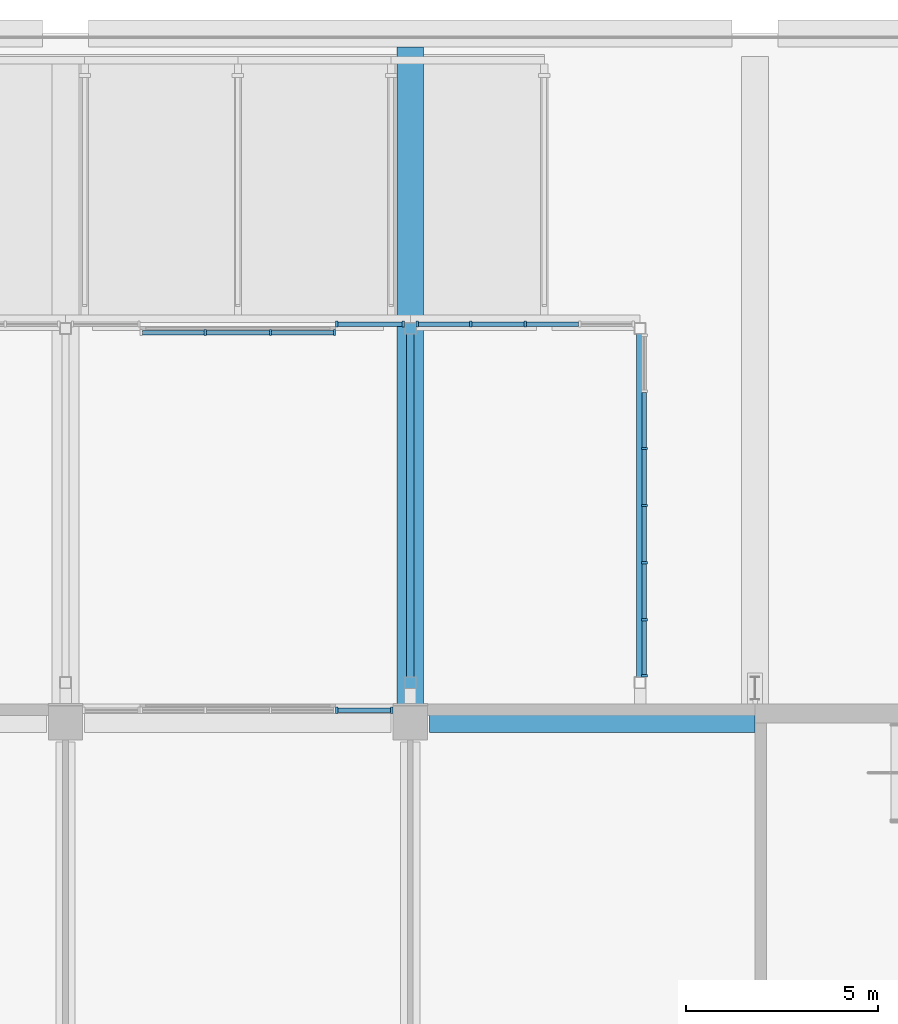
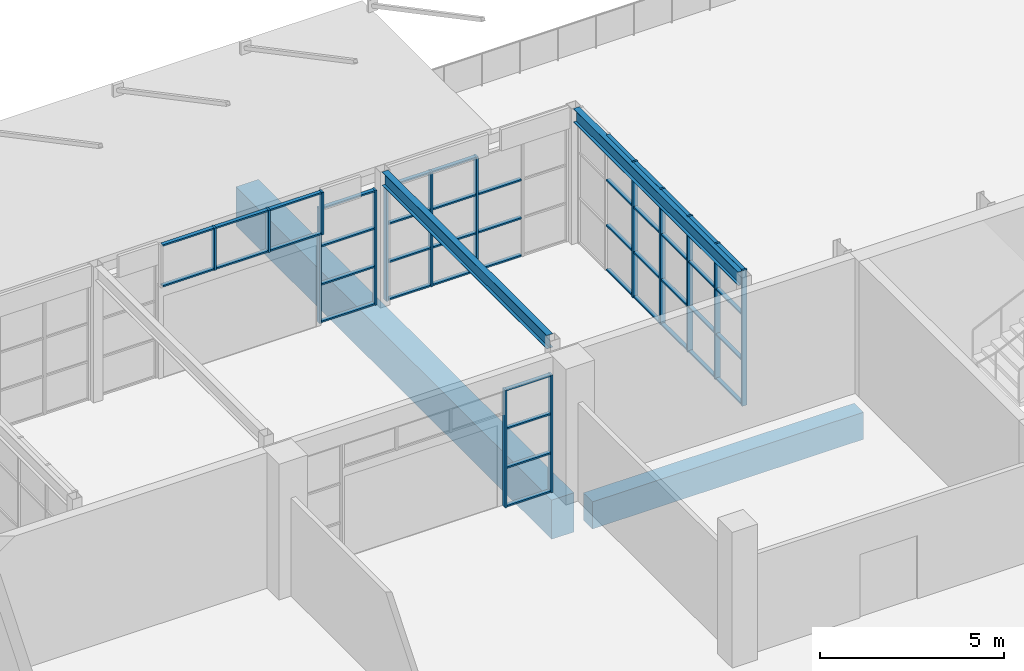
# One storey, part 61 of 168: 60 members, 4 beams, 5 elements without a shape of their own.
"""IFC4 building model written with IfcOpenShell, lengths in metres."""

import ifcopenshell
import ifcopenshell.guid

model = None  # the IFC model being written
_history = None  # IfcOwnerHistory: only IFC2X3 demands one
_inside = {}  # id of a spatial element -> (the spatial element, [elements in it])
_under = {}  # id of a project, library or spatial element -> (it, [spatial elements below it])
_declared = {}  # id of a project -> (the project, [libraries it declares])
_typed = {}  # id of a type object -> (the type object, [elements of that type])
_made_of = {}  # id of a material, layer set ... -> (it, [elements and type objects made of it])


def new_model(schema):
    """Start an empty IFC model of exactly this schema.

    Asked for "IFC4X3", IfcOpenShell would pick the latest addendum, in which some entities
    have other attributes; the version numbers below select the first issue.
    IFC2X3 requires an IfcOwnerHistory on every rooted entity: one is made here for all.
    """
    global model, _history
    if schema == "IFC4X3":
        model = ifcopenshell.file(schema_version=(4, 3, 0, 0))
    else:
        model = ifcopenshell.file(schema=schema)
    _inside.clear()
    _under.clear()
    _declared.clear()
    _typed.clear()
    _made_of.clear()
    _history = None
    if model.schema == "IFC2X3":
        org = make("IfcOrganization", Name="unknown")
        user = make(
            "IfcPersonAndOrganization",
            ThePerson=make("IfcPerson", FamilyName="unknown"),
            TheOrganization=org,
        )
        app = make(
            "IfcApplication",
            ApplicationDeveloper=org,
            Version="unknown",
            ApplicationFullName="unknown",
            ApplicationIdentifier="unknown",
        )
        _history = make(
            "IfcOwnerHistory",
            OwningUser=user,
            OwningApplication=app,
            ChangeAction="ADDED",
            CreationDate=0,
        )
    return model


def make(cls, **values):
    """One entity of the class cls with the attributes given. An attribute that is None is left unset."""
    return model.create_entity(
        cls, **{name: value for name, value in values.items() if value is not None}
    )


def rooted(cls, **values):
    """An entity with a GlobalId (a new one), such as an element, a storey or a relation."""
    return make(cls, GlobalId=ifcopenshell.guid.new(), OwnerHistory=_history, **values)


def si_unit(unit_type, name, prefix=None):
    """IfcSIUnit, for example si_unit("LENGTHUNIT", "METRE", prefix="MILLI")."""
    return make("IfcSIUnit", UnitType=unit_type, Prefix=prefix, Name=name)


def assignment(units):
    """IfcUnitAssignment: the units of a project."""
    return None if units is None else make("IfcUnitAssignment", Units=units)


def point(xyz):
    """IfcCartesianPoint."""
    return None if xyz is None else make("IfcCartesianPoint", Coordinates=xyz)


def direction(xyz):
    """IfcDirection."""
    return None if xyz is None else make("IfcDirection", DirectionRatios=xyz)


def frame(location, z_axis=None, x_axis=None):
    """IfcAxis2Placement3D, a coordinate frame: its origin and axes. An axis left out is left unset."""
    return make(
        "IfcAxis2Placement3D",
        Location=point(location),
        Axis=direction(z_axis),
        RefDirection=direction(x_axis),
    )


def frame_2d(location, x_axis=None):
    """IfcAxis2Placement2D, a coordinate frame in the plane: its origin and x axis."""
    return make(
        "IfcAxis2Placement2D", Location=point(location), RefDirection=direction(x_axis)
    )


def origin():
    """The frame at (0, 0, 0) with its axes left unset."""
    return frame((0.0, 0.0, 0.0))


def origin_2d():
    """The frame at (0, 0) in the plane with its x axis left unset."""
    return frame_2d((0.0, 0.0))


def place(relative_to, where):
    """IfcLocalPlacement: puts the frame where relative to a parent placement (None: the world)."""
    return make(
        "IfcLocalPlacement", PlacementRelTo=relative_to, RelativePlacement=where
    )


def context(
    kind, dimensions, precision=None, world=None, true_north=None, identifier=None
):
    """IfcGeometricRepresentationContext, for example the 3D "Model" context."""
    return make(
        "IfcGeometricRepresentationContext",
        ContextIdentifier=identifier,
        ContextType=kind,
        CoordinateSpaceDimension=dimensions,
        Precision=precision,
        WorldCoordinateSystem=world,
        TrueNorth=true_north,
    )


def subcontext(parent, identifier, kind, view, scale=None):
    """IfcGeometricRepresentationSubContext, for example "Body" below "Model"."""
    return make(
        "IfcGeometricRepresentationSubContext",
        ContextIdentifier=identifier,
        ContextType=kind,
        ParentContext=parent,
        TargetScale=scale,
        TargetView=view,
    )


def project(units=None, contexts=None):
    """IfcProject with its units and contexts."""
    return rooted(
        "IfcProject",
        Name="project",
        RepresentationContexts=contexts,
        UnitsInContext=assignment(units),
    )


def spatial(cls, under=None, at=None, **own):
    """A site, building, storey or space (cls), placed at a placement, below another one or the project."""
    s = rooted(cls, ObjectPlacement=at, **own)
    if under is not None:
        _under.setdefault(under.id(), (under, []))[1].append(s)
    return s


def profile(cls, at=None, kind="AREA", **sizes):
    """A parametric profile (cls). Its sizes go by their IFC names, for example OverallWidth=200.0."""
    return make(cls, ProfileType=kind, Position=at, **sizes)


def rectangle(**sizes):
    """IfcRectangleProfileDef."""
    return profile("IfcRectangleProfileDef", **sizes)


def i_section(**sizes):
    """IfcIShapeProfileDef."""
    return profile("IfcIShapeProfileDef", **sizes)


def extrude(swept, where, along, depth):
    """IfcExtrudedAreaSolid: the profile swept, set in the frame where, extruded along a direction by depth."""
    return make(
        "IfcExtrudedAreaSolid",
        SweptArea=swept,
        Position=where,
        ExtrudedDirection=direction(along),
        Depth=depth,
    )


def shape(context_of_items, identifier, shape_type, items):
    """IfcShapeRepresentation: the items that make up one representation, for example the "Body"."""
    return make(
        "IfcShapeRepresentation",
        ContextOfItems=context_of_items,
        RepresentationIdentifier=identifier,
        RepresentationType=shape_type,
        Items=items,
    )


def material(Name=None, Category=None):
    """IfcMaterial."""
    return make("IfcMaterial", Name=Name, Category=Category)


def material_profile(
    of_material, cross_section, Name=None, Category=None, Priority=None
):
    """IfcMaterialProfile: a cross section and its material."""
    return make(
        "IfcMaterialProfile",
        Name=Name,
        Material=of_material,
        Profile=cross_section,
        Priority=Priority,
        Category=Category,
    )


def profile_set(profiles, Name=None, composite=None):
    """IfcMaterialProfileSet."""
    return make(
        "IfcMaterialProfileSet",
        Name=Name,
        MaterialProfiles=profiles,
        CompositeProfile=composite,
    )


def made_of(thing, what):
    """Note that an element or type object is made of a material, layer set ...; save() writes the relation."""
    if what is not None:
        _made_of.setdefault(what.id(), (what, []))[1].append(thing)
    return thing


def type_object(cls, material=None, **own):
    """A type object (cls), such as IfcWallType, which elements share."""
    return made_of(rooted(cls, **own), material)


def element(
    cls,
    number,
    at=None,
    inside=None,
    cuts=None,
    type_object=None,
    material=None,
    context=None,
    identifier="Body",
    shape_type=None,
    held_by="IfcProductDefinitionShape",
    body=None,
    shapes=None,
    **own,
):
    """One element of the class cls, such as IfcWall. Its Tag is "e" and its number.

    at: its placement. inside: the storey or other place that contains it. cuts: it is an
    opening in that element (IfcRelVoidsElement). A single representation is given by context,
    identifier, shape_type and body (its items); several are given by shapes. held_by: the class
    of the entity that holds the representations. save() writes the other relations.
    """
    e = rooted(cls, Tag="e%d" % number, ObjectPlacement=at, **own)
    if body is not None:
        shapes = [shape(context, identifier, shape_type, body)]
    if shapes is not None:
        e.Representation = make(held_by, Representations=shapes)
    if inside is not None:
        _inside.setdefault(inside.id(), (inside, []))[1].append(e)
    if cuts is not None:
        rooted(
            "IfcRelVoidsElement", RelatingBuildingElement=cuts, RelatedOpeningElement=e
        )
    if type_object is not None:
        _typed.setdefault(type_object.id(), (type_object, []))[1].append(e)
    return made_of(e, material)


def aggregate(whole, parts):
    """IfcRelAggregates: a whole, such as a stair, and the parts it consists of."""
    return rooted("IfcRelAggregates", RelatingObject=whole, RelatedObjects=parts)


def save(model, path):
    """Write the relations noted so far, then the file.

    IfcRelAggregates (storeys below a building ...), IfcRelContainedInSpatialStructure (elements
    in a storey), IfcRelDefinesByType, IfcRelAssociatesMaterial and IfcRelDeclares: one each for
    every whole, place, type object, material and project.
    """
    for whole, parts in _under.values():
        aggregate(whole, parts)
    for where, things in _inside.values():
        rooted(
            "IfcRelContainedInSpatialStructure",
            RelatedElements=things,
            RelatingStructure=where,
        )
    for kind, things in _typed.values():
        rooted("IfcRelDefinesByType", RelatedObjects=things, RelatingType=kind)
    for what, things in _made_of.values():
        rooted("IfcRelAssociatesMaterial", RelatedObjects=things, RelatingMaterial=what)
    for by, libraries in _declared.values():
        rooted("IfcRelDeclares", RelatingContext=by, RelatedDefinitions=libraries)
    model.write(path)


model = new_model("IFC4")

# Units and contexts
model_context = context("Model", 3, precision=1e-05, world=origin(), true_north=direction((0.0, 1.0)))
body_context = subcontext(model_context, "Body", "Model", "MODEL_VIEW")
ifc_project = project(units=[si_unit("LENGTHUNIT", "METRE"), si_unit("AREAUNIT", "SQUARE_METRE"), si_unit("VOLUMEUNIT", "CUBIC_METRE"), si_unit("PLANEANGLEUNIT", "RADIAN"), si_unit("MASSUNIT", "GRAM", prefix="KILO")], contexts=[model_context])

# Site, building, storey
site_placement = place(None, origin())
site = spatial("IfcSite", under=ifc_project, at=site_placement, CompositionType="ELEMENT")
building_placement = place(site_placement, origin())
building = spatial("IfcBuilding", under=site, at=building_placement, Name="Silverbay Arena", CompositionType="ELEMENT")
storey_placement = place(building_placement, frame((0.0, 0.0, 7.0)))
storey = spatial("IfcBuildingStorey", under=building, at=storey_placement, Name="L01", CompositionType="ELEMENT", Elevation=7.0)

# Beams
ifc_material_1 = material(Name="Steel S355", Category="steel")
ifc_material_profile_1 = material_profile(ifc_material_1, i_section(OverallWidth=0.18994140625, OverallDepth=0.453369140625, WebThickness=0.008544921875, FlangeThickness=0.0126953125, at=origin_2d()), Name="UB 457x191x67")
ifc_profile_set_1 = profile_set([ifc_material_profile_1], Name="Steel S355")
beam_type_1 = type_object("IfcBeamType", Name="Hall beam UB 457x191x67", PredefinedType="BEAM", material=ifc_profile_set_1)
for number, where, z_axis, x_axis, name in (
    (1, (135.0, 145.199951171875, 4.273193359375), (0.0, 1.0, 0.0), (-1.0, 0.0, 0.0), "North entrance hall N1 transverse beam 3L11"),
    (2, (141.0, 145.199951171875, 4.273193359375), (0.0, 1.0, 0.0), (-1.0, 0.0, 0.0), "North entrance hall N1 transverse beam 4L11"),
):
    element("IfcBeam", number, at=place(storey_placement, frame(where, z_axis=z_axis, x_axis=x_axis)), inside=storey, type_object=beam_type_1, Name=name, PredefinedType="BEAM", context=body_context, shape_type="SweptSolid", body=[
        extrude(i_section(OverallWidth=0.18994140625, OverallDepth=0.453369140625, WebThickness=0.008544921875, FlangeThickness=0.0126953125, at=origin_2d()), origin(), (0.0, 0.0, 1.0), 8.949951171875),
    ])

# Curtain wall, members
ifc_material_2 = material(Name="Aluminium framed curtain wall", Category="aluminium")
curtain_wall_type_1 = type_object("IfcCurtainWallType", Name="Curtain wall 1500 x 3900", PredefinedType="NOTDEFINED", material=ifc_material_2)
curtain_wall_1_placement = place(storey_placement, origin())
curtain_wall_1 = element("IfcCurtainWall", 3, at=curtain_wall_1_placement, inside=storey, type_object=curtain_wall_type_1, Name="North curtain wall L01 bay 12", PredefinedType="NOTDEFINED")
ifc_material_3 = material(Name="Aluminium", Category="aluminium")
ifc_material_profile_2 = material_profile(ifc_material_3, rectangle(XDim=0.159912109375, YDim=0.06005859375, at=origin_2d()), Name="Mullion 60 x 160")
ifc_profile_set_2 = profile_set([ifc_material_profile_2], Name="Aluminium")
member_type_1 = type_object("IfcMemberType", Name="Mullion 60 x 160", PredefinedType="MULLION", material=ifc_profile_set_2)
member_1_placement = place(storey_placement, frame((134.52001953125, 144.330078125, 0.0), z_axis=(0.0, 0.0, 1.0), x_axis=(0.0, -1.0, 0.0)))
member_1 = element("IfcMember", 4, at=member_1_placement, type_object=member_type_1, Name="CW4 mullion 1", PredefinedType="MULLION", context=body_context, shape_type="SweptSolid", body=[
    extrude(rectangle(XDim=0.159912109375, YDim=0.06005859375, at=origin_2d()), origin(), (0.0, 0.0, 1.0), 3.89990234375),
])
member_2_placement = place(storey_placement, frame((133.080078125, 144.330078125, 0.0), z_axis=(0.0, 0.0, 1.0), x_axis=(0.0, -1.0, 0.0)))
member_2 = element("IfcMember", 5, at=member_2_placement, type_object=member_type_1, Name="CW4 mullion 2", PredefinedType="MULLION", context=body_context, shape_type="SweptSolid", body=[
    extrude(rectangle(XDim=0.159912109375, YDim=0.06005859375, at=origin_2d()), origin(), (0.0, 0.0, 1.0), 3.89990234375),
])

ifc_material_4 = material(Name="Aluminium framed curtain wall", Category="aluminium")
curtain_wall_type_2 = type_object("IfcCurtainWallType", Name="Curtain wall 1800 x 3800", PredefinedType="NOTDEFINED", material=ifc_material_4)
curtain_wall_2_placement = place(storey_placement, origin())
curtain_wall_2 = element("IfcCurtainWall", 6, at=curtain_wall_2_placement, inside=storey, type_object=curtain_wall_type_2, Name="North entrance hall N1 glazing F1b", PredefinedType="NOTDEFINED")
member_3_placement = place(storey_placement, frame((133.080078125, 154.409912109375, 0.0), z_axis=(0.0, 0.0, 1.0), x_axis=(0.0, 1.0, 0.0)))
member_3 = element("IfcMember", 7, at=member_3_placement, type_object=member_type_1, Name="CW44 mullion 1", PredefinedType="MULLION", context=body_context, shape_type="SweptSolid", body=[
    extrude(rectangle(XDim=0.159912109375, YDim=0.06005859375, at=origin_2d()), origin(), (0.0, 0.0, 1.0), 3.800048828125),
])
member_4_placement = place(storey_placement, frame((134.820068359375, 154.409912109375, 0.0), z_axis=(0.0, 0.0, 1.0), x_axis=(0.0, 1.0, 0.0)))
member_4 = element("IfcMember", 8, at=member_4_placement, type_object=member_type_1, Name="CW44 mullion 2", PredefinedType="MULLION", context=body_context, shape_type="SweptSolid", body=[
    extrude(rectangle(XDim=0.159912109375, YDim=0.06005859375, at=origin_2d()), origin(), (0.0, 0.0, 1.0), 3.800048828125),
])

ifc_material_5 = material(Name="Aluminium framed curtain wall", Category="aluminium")
curtain_wall_type_3 = type_object("IfcCurtainWallType", Name="Curtain wall 5700 x 3800", PredefinedType="NOTDEFINED", material=ifc_material_5)
curtain_wall_3_placement = place(storey_placement, origin())
curtain_wall_3 = element("IfcCurtainWall", 9, at=curtain_wall_3_placement, inside=storey, type_object=curtain_wall_type_3, Name="North entrance hall N1 glazing F2", PredefinedType="NOTDEFINED")
member_5_placement = place(storey_placement, frame((135.179931640625, 154.409912109375, 0.0), z_axis=(0.0, 0.0, 1.0), x_axis=(0.0, 1.0, 0.0)))
member_5 = element("IfcMember", 10, at=member_5_placement, type_object=member_type_1, Name="CW42 mullion 1", PredefinedType="MULLION", context=body_context, shape_type="SweptSolid", body=[
    extrude(rectangle(XDim=0.159912109375, YDim=0.06005859375, at=origin_2d()), origin(), (0.0, 0.0, 1.0), 3.800048828125),
])
member_6_placement = place(storey_placement, frame((136.574951171875, 154.409912109375, 0.0), z_axis=(0.0, 0.0, 1.0), x_axis=(0.0, 1.0, 0.0)))
member_6 = element("IfcMember", 11, at=member_6_placement, type_object=member_type_1, Name="CW42 mullion 2", PredefinedType="MULLION", context=body_context, shape_type="SweptSolid", body=[
    extrude(rectangle(XDim=0.159912109375, YDim=0.06005859375, at=origin_2d()), origin(), (0.0, 0.0, 1.0), 3.800048828125),
])
member_7_placement = place(storey_placement, frame((138.0, 154.409912109375, 0.0), z_axis=(0.0, 0.0, 1.0), x_axis=(0.0, 1.0, 0.0)))
member_7 = element("IfcMember", 12, at=member_7_placement, type_object=member_type_1, Name="CW42 mullion 3", PredefinedType="MULLION", context=body_context, shape_type="SweptSolid", body=[
    extrude(rectangle(XDim=0.159912109375, YDim=0.06005859375, at=origin_2d()), origin(), (0.0, 0.0, 1.0), 3.800048828125),
])

ifc_material_6 = material(Name="Aluminium framed curtain wall", Category="aluminium")
curtain_wall_type_4 = type_object("IfcCurtainWallType", Name="Curtain wall 8950 x 4500", PredefinedType="NOTDEFINED", material=ifc_material_6)
curtain_wall_4_placement = place(storey_placement, origin())
curtain_wall_4 = element("IfcCurtainWall", 13, at=curtain_wall_4_placement, inside=storey, type_object=curtain_wall_type_4, Name="North entrance hall N1 glazing SB", PredefinedType="NOTDEFINED")
member_8_placement = place(storey_placement, frame((141.110107421875, 151.166748046875, 0.0), z_axis=(0.0, 0.0, 1.0), x_axis=(1.0, 0.0, 0.0)))
member_8 = element("IfcMember", 14, at=member_8_placement, type_object=member_type_1, Name="CW46 mullion 3", PredefinedType="MULLION", context=body_context, shape_type="SweptSolid", body=[
    extrude(rectangle(XDim=0.159912109375, YDim=0.06005859375, at=origin_2d()), origin(), (0.0, 0.0, 1.0), 4.5),
])
member_9_placement = place(storey_placement, frame((141.110107421875, 149.675048828125, 0.0), z_axis=(0.0, 0.0, 1.0), x_axis=(1.0, 0.0, 0.0)))
member_9 = element("IfcMember", 15, at=member_9_placement, type_object=member_type_1, Name="CW46 mullion 4", PredefinedType="MULLION", context=body_context, shape_type="SweptSolid", body=[
    extrude(rectangle(XDim=0.159912109375, YDim=0.06005859375, at=origin_2d()), origin(), (0.0, 0.0, 1.0), 4.5),
])
member_10_placement = place(storey_placement, frame((141.110107421875, 148.183349609375, 0.0), z_axis=(0.0, 0.0, 1.0), x_axis=(1.0, 0.0, 0.0)))
member_10 = element("IfcMember", 16, at=member_10_placement, type_object=member_type_1, Name="CW46 mullion 5", PredefinedType="MULLION", context=body_context, shape_type="SweptSolid", body=[
    extrude(rectangle(XDim=0.159912109375, YDim=0.06005859375, at=origin_2d()), origin(), (0.0, 0.0, 1.0), 4.5),
])
member_11_placement = place(storey_placement, frame((141.110107421875, 146.691650390625, 0.0), z_axis=(0.0, 0.0, 1.0), x_axis=(1.0, 0.0, 0.0)))
member_11 = element("IfcMember", 17, at=member_11_placement, type_object=member_type_1, Name="CW46 mullion 6", PredefinedType="MULLION", context=body_context, shape_type="SweptSolid", body=[
    extrude(rectangle(XDim=0.159912109375, YDim=0.06005859375, at=origin_2d()), origin(), (0.0, 0.0, 1.0), 4.5),
])
member_12_placement = place(storey_placement, frame((141.110107421875, 145.22998046875, 0.0), z_axis=(0.0, 0.0, 1.0), x_axis=(1.0, 0.0, 0.0)))
member_12 = element("IfcMember", 18, at=member_12_placement, type_object=member_type_1, Name="CW46 mullion 7", PredefinedType="MULLION", context=body_context, shape_type="SweptSolid", body=[
    extrude(rectangle(XDim=0.159912109375, YDim=0.06005859375, at=origin_2d()), origin(), (0.0, 0.0, 1.0), 4.5),
])

ifc_material_7 = material(Name="Aluminium framed curtain wall", Category="aluminium")
curtain_wall_type_5 = type_object("IfcCurtainWallType", Name="Curtain wall 5100 x 1400", PredefinedType="NOTDEFINED", material=ifc_material_7)
curtain_wall_5_placement = place(storey_placement, origin())
curtain_wall_5 = element("IfcCurtainWall", 19, at=curtain_wall_5_placement, inside=storey, type_object=curtain_wall_type_5, Name="North entrance hall N1 glazing over the door", PredefinedType="NOTDEFINED")
member_13_placement = place(storey_placement, frame((133.02001953125, 154.18994140625, 3.10009765625), z_axis=(0.0, 0.0, 1.0), x_axis=(0.0, -1.0, 0.0)))
member_13 = element("IfcMember", 20, at=member_13_placement, type_object=member_type_1, Name="CW39 mullion 1", PredefinedType="MULLION", context=body_context, shape_type="SweptSolid", body=[
    extrude(rectangle(XDim=0.159912109375, YDim=0.06005859375, at=origin_2d()), origin(), (0.0, 0.0, 1.0), 1.39990234375),
])
member_14_placement = place(storey_placement, frame((131.35009765625, 154.18994140625, 3.10009765625), z_axis=(0.0, 0.0, 1.0), x_axis=(0.0, -1.0, 0.0)))
member_14 = element("IfcMember", 21, at=member_14_placement, type_object=member_type_1, Name="CW39 mullion 2", PredefinedType="MULLION", context=body_context, shape_type="SweptSolid", body=[
    extrude(rectangle(XDim=0.159912109375, YDim=0.06005859375, at=origin_2d()), origin(), (0.0, 0.0, 1.0), 1.39990234375),
])
member_15_placement = place(storey_placement, frame((129.64990234375, 154.18994140625, 3.10009765625), z_axis=(0.0, 0.0, 1.0), x_axis=(0.0, -1.0, 0.0)))
member_15 = element("IfcMember", 22, at=member_15_placement, type_object=member_type_1, Name="CW39 mullion 3", PredefinedType="MULLION", context=body_context, shape_type="SweptSolid", body=[
    extrude(rectangle(XDim=0.159912109375, YDim=0.06005859375, at=origin_2d()), origin(), (0.0, 0.0, 1.0), 1.39990234375),
])

# Beams
ifc_material_8 = material(Name="Concrete Grade C45", Category="concrete")
ifc_material_profile_3 = material_profile(ifc_material_8, rectangle(XDim=0.5, YDim=0.89990234375, at=origin_2d()), Name="RC 500x900")
ifc_profile_set_3 = profile_set([ifc_material_profile_3], Name="Concrete Grade C45")
beam_type_2 = type_object("IfcBeamType", Name="RC beam 500x900", PredefinedType="BEAM", material=ifc_profile_set_3)
beam_1_placement = place(storey_placement, frame((135.5, 144.0, -0.800048828125), z_axis=(1.0, 0.0, 0.0), x_axis=(0.0, 1.0, 0.0)))
element("IfcBeam", 23, at=beam_1_placement, inside=storey, type_object=beam_type_2, Name="Floor beam L01 177", PredefinedType="BEAM", context=body_context, shape_type="SweptSolid", body=[
    extrude(rectangle(XDim=0.5, YDim=0.89990234375, at=origin_2d()), origin(), (0.0, 0.0, 1.0), 8.5),
])
ifc_material_9 = material(Name="Concrete Grade C45", Category="concrete")
ifc_material_profile_4 = material_profile(ifc_material_9, rectangle(XDim=0.699951171875, YDim=1.300048828125, at=origin_2d()), Name="RC 700x1300")
ifc_profile_set_4 = profile_set([ifc_material_profile_4], Name="Concrete Grade C45")
beam_type_3 = type_object("IfcBeamType", Name="RC girder 700x1300", PredefinedType="BEAM", material=ifc_profile_set_4)
beam_2_placement = place(storey_placement, frame((135.0, 144.5, -1.10009765625), z_axis=(0.0, 1.0, 0.0), x_axis=(-1.0, 0.0, 0.0)))
element("IfcBeam", 24, at=beam_2_placement, inside=storey, type_object=beam_type_3, Name="Deck secondary beam 122", PredefinedType="BEAM", context=body_context, shape_type="SweptSolid", body=[
    extrude(rectangle(XDim=0.699951171875, YDim=1.300048828125, at=origin_2d()), origin(), (0.0, 0.0, 1.0), 17.14990234375),
])

# Member
ifc_material_10 = material(Name="Aluminium", Category="aluminium")
ifc_material_profile_5 = material_profile(ifc_material_10, rectangle(XDim=0.1201171875, YDim=0.050048828125, at=origin_2d()), Name="Transom 50 x 120")
ifc_profile_set_5 = profile_set([ifc_material_profile_5], Name="Aluminium")
member_type_2 = type_object("IfcMemberType", Name="Transom 50 x 120", PredefinedType="USERDEFINED", material=ifc_profile_set_5)
member_16_placement = place(storey_placement, frame((134.489990234375, 144.330078125, 0.02490234375), z_axis=(-1.0, 0.0, 0.0), x_axis=(0.0, -1.0, 0.0)))
member_16 = element("IfcMember", 25, at=member_16_placement, type_object=member_type_2, Name="CW4 transom 1.1", ObjectType="TRANSOM", PredefinedType="USERDEFINED", context=body_context, shape_type="SweptSolid", body=[
    extrude(rectangle(XDim=0.1201171875, YDim=0.050048828125, at=origin_2d()), origin(), (0.0, 0.0, 1.0), 1.3798828125),
])

member_17_placement = place(storey_placement, frame((134.489990234375, 144.330078125, 1.300048828125), z_axis=(-1.0, 0.0, 0.0), x_axis=(0.0, -1.0, 0.0)))
member_17 = element("IfcMember", 26, at=member_17_placement, type_object=member_type_2, Name="CW4 transom 1.2", ObjectType="TRANSOM", PredefinedType="USERDEFINED", context=body_context, shape_type="SweptSolid", body=[
    extrude(rectangle(XDim=0.1201171875, YDim=0.050048828125, at=origin_2d()), origin(), (0.0, 0.0, 1.0), 1.3798828125),
])

member_18_placement = place(storey_placement, frame((134.489990234375, 144.330078125, 2.60009765625), z_axis=(-1.0, 0.0, 0.0), x_axis=(0.0, -1.0, 0.0)))
member_18 = element("IfcMember", 27, at=member_18_placement, type_object=member_type_2, Name="CW4 transom 1.3", ObjectType="TRANSOM", PredefinedType="USERDEFINED", context=body_context, shape_type="SweptSolid", body=[
    extrude(rectangle(XDim=0.1201171875, YDim=0.050048828125, at=origin_2d()), origin(), (0.0, 0.0, 1.0), 1.3798828125),
])

member_19_placement = place(storey_placement, frame((134.489990234375, 144.330078125, 3.875), z_axis=(-1.0, 0.0, 0.0), x_axis=(0.0, -1.0, 0.0)))
member_19 = element("IfcMember", 28, at=member_19_placement, type_object=member_type_2, Name="CW4 transom 1.4", ObjectType="TRANSOM", PredefinedType="USERDEFINED", context=body_context, shape_type="SweptSolid", body=[
    extrude(rectangle(XDim=0.1201171875, YDim=0.050048828125, at=origin_2d()), origin(), (0.0, 0.0, 1.0), 1.3798828125),
])

aggregate(curtain_wall_1, [member_1, member_2, member_16, member_17, member_18, member_19])

member_20_placement = place(storey_placement, frame((133.110107421875, 154.409912109375, 0.02490234375), z_axis=(1.0, 0.0, 0.0), x_axis=(0.0, 1.0, 0.0)))
member_20 = element("IfcMember", 29, at=member_20_placement, type_object=member_type_2, Name="CW44 transom 1.1", ObjectType="TRANSOM", PredefinedType="USERDEFINED", context=body_context, shape_type="SweptSolid", body=[
    extrude(rectangle(XDim=0.1201171875, YDim=0.050048828125, at=origin_2d()), origin(), (0.0, 0.0, 1.0), 1.679931640625),
])

member_21_placement = place(storey_placement, frame((133.110107421875, 154.409912109375, 1.2666015625), z_axis=(1.0, 0.0, 0.0), x_axis=(0.0, 1.0, 0.0)))
member_21 = element("IfcMember", 30, at=member_21_placement, type_object=member_type_2, Name="CW44 transom 1.2", ObjectType="TRANSOM", PredefinedType="USERDEFINED", context=body_context, shape_type="SweptSolid", body=[
    extrude(rectangle(XDim=0.1201171875, YDim=0.050048828125, at=origin_2d()), origin(), (0.0, 0.0, 1.0), 1.679931640625),
])

member_22_placement = place(storey_placement, frame((133.110107421875, 154.409912109375, 2.533447265625), z_axis=(1.0, 0.0, 0.0), x_axis=(0.0, 1.0, 0.0)))
member_22 = element("IfcMember", 31, at=member_22_placement, type_object=member_type_2, Name="CW44 transom 1.3", ObjectType="TRANSOM", PredefinedType="USERDEFINED", context=body_context, shape_type="SweptSolid", body=[
    extrude(rectangle(XDim=0.1201171875, YDim=0.050048828125, at=origin_2d()), origin(), (0.0, 0.0, 1.0), 1.679931640625),
])

member_23_placement = place(storey_placement, frame((133.110107421875, 154.409912109375, 3.77490234375), z_axis=(1.0, 0.0, 0.0), x_axis=(0.0, 1.0, 0.0)))
member_23 = element("IfcMember", 32, at=member_23_placement, type_object=member_type_2, Name="CW44 transom 1.4", ObjectType="TRANSOM", PredefinedType="USERDEFINED", context=body_context, shape_type="SweptSolid", body=[
    extrude(rectangle(XDim=0.1201171875, YDim=0.050048828125, at=origin_2d()), origin(), (0.0, 0.0, 1.0), 1.679931640625),
])

aggregate(curtain_wall_2, [member_3, member_4, member_20, member_21, member_22, member_23])

member_24_placement = place(storey_placement, frame((135.2099609375, 154.409912109375, 0.02490234375), z_axis=(1.0, 0.0, 0.0), x_axis=(0.0, 1.0, 0.0)))
member_24 = element("IfcMember", 33, at=member_24_placement, type_object=member_type_2, Name="CW42 transom 1.1", ObjectType="TRANSOM", PredefinedType="USERDEFINED", context=body_context, shape_type="SweptSolid", body=[
    extrude(rectangle(XDim=0.1201171875, YDim=0.050048828125, at=origin_2d()), origin(), (0.0, 0.0, 1.0), 1.3349609375),
])

member_25_placement = place(storey_placement, frame((135.2099609375, 154.409912109375, 1.2666015625), z_axis=(1.0, 0.0, 0.0), x_axis=(0.0, 1.0, 0.0)))
member_25 = element("IfcMember", 34, at=member_25_placement, type_object=member_type_2, Name="CW42 transom 1.2", ObjectType="TRANSOM", PredefinedType="USERDEFINED", context=body_context, shape_type="SweptSolid", body=[
    extrude(rectangle(XDim=0.1201171875, YDim=0.050048828125, at=origin_2d()), origin(), (0.0, 0.0, 1.0), 1.3349609375),
])

member_26_placement = place(storey_placement, frame((135.2099609375, 154.409912109375, 2.533447265625), z_axis=(1.0, 0.0, 0.0), x_axis=(0.0, 1.0, 0.0)))
member_26 = element("IfcMember", 35, at=member_26_placement, type_object=member_type_2, Name="CW42 transom 1.3", ObjectType="TRANSOM", PredefinedType="USERDEFINED", context=body_context, shape_type="SweptSolid", body=[
    extrude(rectangle(XDim=0.1201171875, YDim=0.050048828125, at=origin_2d()), origin(), (0.0, 0.0, 1.0), 1.3349609375),
])

member_27_placement = place(storey_placement, frame((135.2099609375, 154.409912109375, 3.77490234375), z_axis=(1.0, 0.0, 0.0), x_axis=(0.0, 1.0, 0.0)))
member_27 = element("IfcMember", 36, at=member_27_placement, type_object=member_type_2, Name="CW42 transom 1.4", ObjectType="TRANSOM", PredefinedType="USERDEFINED", context=body_context, shape_type="SweptSolid", body=[
    extrude(rectangle(XDim=0.1201171875, YDim=0.050048828125, at=origin_2d()), origin(), (0.0, 0.0, 1.0), 1.3349609375),
])

member_28_placement = place(storey_placement, frame((136.60498046875, 154.409912109375, 0.02490234375), z_axis=(1.0, 0.0, 0.0), x_axis=(0.0, 1.0, 0.0)))
member_28 = element("IfcMember", 37, at=member_28_placement, type_object=member_type_2, Name="CW42 transom 2.1", ObjectType="TRANSOM", PredefinedType="USERDEFINED", context=body_context, shape_type="SweptSolid", body=[
    extrude(rectangle(XDim=0.1201171875, YDim=0.050048828125, at=origin_2d()), origin(), (0.0, 0.0, 1.0), 1.364990234375),
])

member_29_placement = place(storey_placement, frame((136.60498046875, 154.409912109375, 1.2666015625), z_axis=(1.0, 0.0, 0.0), x_axis=(0.0, 1.0, 0.0)))
member_29 = element("IfcMember", 38, at=member_29_placement, type_object=member_type_2, Name="CW42 transom 2.2", ObjectType="TRANSOM", PredefinedType="USERDEFINED", context=body_context, shape_type="SweptSolid", body=[
    extrude(rectangle(XDim=0.1201171875, YDim=0.050048828125, at=origin_2d()), origin(), (0.0, 0.0, 1.0), 1.364990234375),
])

member_30_placement = place(storey_placement, frame((136.60498046875, 154.409912109375, 2.533447265625), z_axis=(1.0, 0.0, 0.0), x_axis=(0.0, 1.0, 0.0)))
member_30 = element("IfcMember", 39, at=member_30_placement, type_object=member_type_2, Name="CW42 transom 2.3", ObjectType="TRANSOM", PredefinedType="USERDEFINED", context=body_context, shape_type="SweptSolid", body=[
    extrude(rectangle(XDim=0.1201171875, YDim=0.050048828125, at=origin_2d()), origin(), (0.0, 0.0, 1.0), 1.364990234375),
])

member_31_placement = place(storey_placement, frame((136.60498046875, 154.409912109375, 3.77490234375), z_axis=(1.0, 0.0, 0.0), x_axis=(0.0, 1.0, 0.0)))
member_31 = element("IfcMember", 40, at=member_31_placement, type_object=member_type_2, Name="CW42 transom 2.4", ObjectType="TRANSOM", PredefinedType="USERDEFINED", context=body_context, shape_type="SweptSolid", body=[
    extrude(rectangle(XDim=0.1201171875, YDim=0.050048828125, at=origin_2d()), origin(), (0.0, 0.0, 1.0), 1.364990234375),
])

member_32_placement = place(storey_placement, frame((138.030029296875, 154.409912109375, 0.02490234375), z_axis=(1.0, 0.0, 0.0), x_axis=(0.0, 1.0, 0.0)))
member_32 = element("IfcMember", 41, at=member_32_placement, type_object=member_type_2, Name="CW42 transom 3.1", ObjectType="TRANSOM", PredefinedType="USERDEFINED", context=body_context, shape_type="SweptSolid", body=[
    extrude(rectangle(XDim=0.1201171875, YDim=0.050048828125, at=origin_2d()), origin(), (0.0, 0.0, 1.0), 1.364990234375),
])

member_33_placement = place(storey_placement, frame((138.030029296875, 154.409912109375, 1.2666015625), z_axis=(1.0, 0.0, 0.0), x_axis=(0.0, 1.0, 0.0)))
member_33 = element("IfcMember", 42, at=member_33_placement, type_object=member_type_2, Name="CW42 transom 3.2", ObjectType="TRANSOM", PredefinedType="USERDEFINED", context=body_context, shape_type="SweptSolid", body=[
    extrude(rectangle(XDim=0.1201171875, YDim=0.050048828125, at=origin_2d()), origin(), (0.0, 0.0, 1.0), 1.364990234375),
])

member_34_placement = place(storey_placement, frame((138.030029296875, 154.409912109375, 2.533447265625), z_axis=(1.0, 0.0, 0.0), x_axis=(0.0, 1.0, 0.0)))
member_34 = element("IfcMember", 43, at=member_34_placement, type_object=member_type_2, Name="CW42 transom 3.3", ObjectType="TRANSOM", PredefinedType="USERDEFINED", context=body_context, shape_type="SweptSolid", body=[
    extrude(rectangle(XDim=0.1201171875, YDim=0.050048828125, at=origin_2d()), origin(), (0.0, 0.0, 1.0), 1.364990234375),
])

aggregate(curtain_wall_3, [member_5, member_6, member_7, member_24, member_25, member_26, member_27, member_28, member_29, member_30, member_31, member_32, member_33, member_34])

member_35_placement = place(storey_placement, frame((141.110107421875, 152.62841796875, 0.02490234375), z_axis=(0.0, -1.0, 0.0), x_axis=(1.0, 0.0, 0.0)))
member_35 = element("IfcMember", 44, at=member_35_placement, type_object=member_type_2, Name="CW46 transom 2.1", ObjectType="TRANSOM", PredefinedType="USERDEFINED", context=body_context, shape_type="SweptSolid", body=[
    extrude(rectangle(XDim=0.1201171875, YDim=0.050048828125, at=origin_2d()), origin(), (0.0, 0.0, 1.0), 1.431640625),
])

member_36_placement = place(storey_placement, frame((141.110107421875, 152.62841796875, 1.5), z_axis=(0.0, -1.0, 0.0), x_axis=(1.0, 0.0, 0.0)))
member_36 = element("IfcMember", 45, at=member_36_placement, type_object=member_type_2, Name="CW46 transom 2.2", ObjectType="TRANSOM", PredefinedType="USERDEFINED", context=body_context, shape_type="SweptSolid", body=[
    extrude(rectangle(XDim=0.1201171875, YDim=0.050048828125, at=origin_2d()), origin(), (0.0, 0.0, 1.0), 1.431640625),
])

member_37_placement = place(storey_placement, frame((141.110107421875, 152.62841796875, 3.0), z_axis=(0.0, -1.0, 0.0), x_axis=(1.0, 0.0, 0.0)))
member_37 = element("IfcMember", 46, at=member_37_placement, type_object=member_type_2, Name="CW46 transom 2.3", ObjectType="TRANSOM", PredefinedType="USERDEFINED", context=body_context, shape_type="SweptSolid", body=[
    extrude(rectangle(XDim=0.1201171875, YDim=0.050048828125, at=origin_2d()), origin(), (0.0, 0.0, 1.0), 1.431640625),
])

member_38_placement = place(storey_placement, frame((141.110107421875, 152.62841796875, 4.47509765625), z_axis=(0.0, -1.0, 0.0), x_axis=(1.0, 0.0, 0.0)))
member_38 = element("IfcMember", 47, at=member_38_placement, type_object=member_type_2, Name="CW46 transom 2.4", ObjectType="TRANSOM", PredefinedType="USERDEFINED", context=body_context, shape_type="SweptSolid", body=[
    extrude(rectangle(XDim=0.1201171875, YDim=0.050048828125, at=origin_2d()), origin(), (0.0, 0.0, 1.0), 1.431640625),
])

member_39_placement = place(storey_placement, frame((141.110107421875, 151.13671875, 0.02490234375), z_axis=(0.0, -1.0, 0.0), x_axis=(1.0, 0.0, 0.0)))
member_39 = element("IfcMember", 48, at=member_39_placement, type_object=member_type_2, Name="CW46 transom 3.1", ObjectType="TRANSOM", PredefinedType="USERDEFINED", context=body_context, shape_type="SweptSolid", body=[
    extrude(rectangle(XDim=0.1201171875, YDim=0.050048828125, at=origin_2d()), origin(), (0.0, 0.0, 1.0), 1.431640625),
])

member_40_placement = place(storey_placement, frame((141.110107421875, 151.13671875, 1.5), z_axis=(0.0, -1.0, 0.0), x_axis=(1.0, 0.0, 0.0)))
member_40 = element("IfcMember", 49, at=member_40_placement, type_object=member_type_2, Name="CW46 transom 3.2", ObjectType="TRANSOM", PredefinedType="USERDEFINED", context=body_context, shape_type="SweptSolid", body=[
    extrude(rectangle(XDim=0.1201171875, YDim=0.050048828125, at=origin_2d()), origin(), (0.0, 0.0, 1.0), 1.431640625),
])

member_41_placement = place(storey_placement, frame((141.110107421875, 151.13671875, 3.0), z_axis=(0.0, -1.0, 0.0), x_axis=(1.0, 0.0, 0.0)))
member_41 = element("IfcMember", 50, at=member_41_placement, type_object=member_type_2, Name="CW46 transom 3.3", ObjectType="TRANSOM", PredefinedType="USERDEFINED", context=body_context, shape_type="SweptSolid", body=[
    extrude(rectangle(XDim=0.1201171875, YDim=0.050048828125, at=origin_2d()), origin(), (0.0, 0.0, 1.0), 1.431640625),
])

member_42_placement = place(storey_placement, frame((141.110107421875, 151.13671875, 4.47509765625), z_axis=(0.0, -1.0, 0.0), x_axis=(1.0, 0.0, 0.0)))
member_42 = element("IfcMember", 51, at=member_42_placement, type_object=member_type_2, Name="CW46 transom 3.4", ObjectType="TRANSOM", PredefinedType="USERDEFINED", context=body_context, shape_type="SweptSolid", body=[
    extrude(rectangle(XDim=0.1201171875, YDim=0.050048828125, at=origin_2d()), origin(), (0.0, 0.0, 1.0), 1.431640625),
])

member_43_placement = place(storey_placement, frame((141.110107421875, 149.64501953125, 0.02490234375), z_axis=(0.0, -1.0, 0.0), x_axis=(1.0, 0.0, 0.0)))
member_43 = element("IfcMember", 52, at=member_43_placement, type_object=member_type_2, Name="CW46 transom 4.1", ObjectType="TRANSOM", PredefinedType="USERDEFINED", context=body_context, shape_type="SweptSolid", body=[
    extrude(rectangle(XDim=0.1201171875, YDim=0.050048828125, at=origin_2d()), origin(), (0.0, 0.0, 1.0), 1.431640625),
])

member_44_placement = place(storey_placement, frame((141.110107421875, 149.64501953125, 1.5), z_axis=(0.0, -1.0, 0.0), x_axis=(1.0, 0.0, 0.0)))
member_44 = element("IfcMember", 53, at=member_44_placement, type_object=member_type_2, Name="CW46 transom 4.2", ObjectType="TRANSOM", PredefinedType="USERDEFINED", context=body_context, shape_type="SweptSolid", body=[
    extrude(rectangle(XDim=0.1201171875, YDim=0.050048828125, at=origin_2d()), origin(), (0.0, 0.0, 1.0), 1.431640625),
])

member_45_placement = place(storey_placement, frame((141.110107421875, 149.64501953125, 3.0), z_axis=(0.0, -1.0, 0.0), x_axis=(1.0, 0.0, 0.0)))
member_45 = element("IfcMember", 54, at=member_45_placement, type_object=member_type_2, Name="CW46 transom 4.3", ObjectType="TRANSOM", PredefinedType="USERDEFINED", context=body_context, shape_type="SweptSolid", body=[
    extrude(rectangle(XDim=0.1201171875, YDim=0.050048828125, at=origin_2d()), origin(), (0.0, 0.0, 1.0), 1.431640625),
])

member_46_placement = place(storey_placement, frame((141.110107421875, 149.64501953125, 4.47509765625), z_axis=(0.0, -1.0, 0.0), x_axis=(1.0, 0.0, 0.0)))
member_46 = element("IfcMember", 55, at=member_46_placement, type_object=member_type_2, Name="CW46 transom 4.4", ObjectType="TRANSOM", PredefinedType="USERDEFINED", context=body_context, shape_type="SweptSolid", body=[
    extrude(rectangle(XDim=0.1201171875, YDim=0.050048828125, at=origin_2d()), origin(), (0.0, 0.0, 1.0), 1.431640625),
])

member_47_placement = place(storey_placement, frame((141.110107421875, 148.1533203125, 0.02490234375), z_axis=(0.0, -1.0, 0.0), x_axis=(1.0, 0.0, 0.0)))
member_47 = element("IfcMember", 56, at=member_47_placement, type_object=member_type_2, Name="CW46 transom 5.1", ObjectType="TRANSOM", PredefinedType="USERDEFINED", context=body_context, shape_type="SweptSolid", body=[
    extrude(rectangle(XDim=0.1201171875, YDim=0.050048828125, at=origin_2d()), origin(), (0.0, 0.0, 1.0), 1.431640625),
])

member_48_placement = place(storey_placement, frame((141.110107421875, 148.1533203125, 1.5), z_axis=(0.0, -1.0, 0.0), x_axis=(1.0, 0.0, 0.0)))
member_48 = element("IfcMember", 57, at=member_48_placement, type_object=member_type_2, Name="CW46 transom 5.2", ObjectType="TRANSOM", PredefinedType="USERDEFINED", context=body_context, shape_type="SweptSolid", body=[
    extrude(rectangle(XDim=0.1201171875, YDim=0.050048828125, at=origin_2d()), origin(), (0.0, 0.0, 1.0), 1.431640625),
])

member_49_placement = place(storey_placement, frame((141.110107421875, 148.1533203125, 3.0), z_axis=(0.0, -1.0, 0.0), x_axis=(1.0, 0.0, 0.0)))
member_49 = element("IfcMember", 58, at=member_49_placement, type_object=member_type_2, Name="CW46 transom 5.3", ObjectType="TRANSOM", PredefinedType="USERDEFINED", context=body_context, shape_type="SweptSolid", body=[
    extrude(rectangle(XDim=0.1201171875, YDim=0.050048828125, at=origin_2d()), origin(), (0.0, 0.0, 1.0), 1.431640625),
])

member_50_placement = place(storey_placement, frame((141.110107421875, 148.1533203125, 4.47509765625), z_axis=(0.0, -1.0, 0.0), x_axis=(1.0, 0.0, 0.0)))
member_50 = element("IfcMember", 59, at=member_50_placement, type_object=member_type_2, Name="CW46 transom 5.4", ObjectType="TRANSOM", PredefinedType="USERDEFINED", context=body_context, shape_type="SweptSolid", body=[
    extrude(rectangle(XDim=0.1201171875, YDim=0.050048828125, at=origin_2d()), origin(), (0.0, 0.0, 1.0), 1.431640625),
])

member_51_placement = place(storey_placement, frame((141.110107421875, 146.66162109375, 0.02490234375), z_axis=(0.0, -1.0, 0.0), x_axis=(1.0, 0.0, 0.0)))
member_51 = element("IfcMember", 60, at=member_51_placement, type_object=member_type_2, Name="CW46 transom 6.1", ObjectType="TRANSOM", PredefinedType="USERDEFINED", context=body_context, shape_type="SweptSolid", body=[
    extrude(rectangle(XDim=0.1201171875, YDim=0.050048828125, at=origin_2d()), origin(), (0.0, 0.0, 1.0), 1.401611328125),
])

member_52_placement = place(storey_placement, frame((141.110107421875, 146.66162109375, 1.5), z_axis=(0.0, -1.0, 0.0), x_axis=(1.0, 0.0, 0.0)))
member_52 = element("IfcMember", 61, at=member_52_placement, type_object=member_type_2, Name="CW46 transom 6.2", ObjectType="TRANSOM", PredefinedType="USERDEFINED", context=body_context, shape_type="SweptSolid", body=[
    extrude(rectangle(XDim=0.1201171875, YDim=0.050048828125, at=origin_2d()), origin(), (0.0, 0.0, 1.0), 1.401611328125),
])

member_53_placement = place(storey_placement, frame((141.110107421875, 146.66162109375, 3.0), z_axis=(0.0, -1.0, 0.0), x_axis=(1.0, 0.0, 0.0)))
member_53 = element("IfcMember", 62, at=member_53_placement, type_object=member_type_2, Name="CW46 transom 6.3", ObjectType="TRANSOM", PredefinedType="USERDEFINED", context=body_context, shape_type="SweptSolid", body=[
    extrude(rectangle(XDim=0.1201171875, YDim=0.050048828125, at=origin_2d()), origin(), (0.0, 0.0, 1.0), 1.401611328125),
])

member_54_placement = place(storey_placement, frame((141.110107421875, 146.66162109375, 4.47509765625), z_axis=(0.0, -1.0, 0.0), x_axis=(1.0, 0.0, 0.0)))
member_54 = element("IfcMember", 63, at=member_54_placement, type_object=member_type_2, Name="CW46 transom 6.4", ObjectType="TRANSOM", PredefinedType="USERDEFINED", context=body_context, shape_type="SweptSolid", body=[
    extrude(rectangle(XDim=0.1201171875, YDim=0.050048828125, at=origin_2d()), origin(), (0.0, 0.0, 1.0), 1.401611328125),
])

aggregate(curtain_wall_4, [member_8, member_9, member_10, member_11, member_12, member_35, member_36, member_37, member_38, member_39, member_40, member_41, member_42, member_43, member_44, member_45, member_46, member_47, member_48, member_49, member_50, member_51, member_52, member_53, member_54])

member_55_placement = place(storey_placement, frame((132.989990234375, 154.18994140625, 3.125), z_axis=(-1.0, 0.0, 0.0), x_axis=(0.0, -1.0, 0.0)))
member_55 = element("IfcMember", 64, at=member_55_placement, type_object=member_type_2, Name="CW39 transom 1.1", ObjectType="TRANSOM", PredefinedType="USERDEFINED", context=body_context, shape_type="SweptSolid", body=[
    extrude(rectangle(XDim=0.1201171875, YDim=0.050048828125, at=origin_2d()), origin(), (0.0, 0.0, 1.0), 1.610107421875),
])

member_56_placement = place(storey_placement, frame((132.989990234375, 154.18994140625, 4.47509765625), z_axis=(-1.0, 0.0, 0.0), x_axis=(0.0, -1.0, 0.0)))
member_56 = element("IfcMember", 65, at=member_56_placement, type_object=member_type_2, Name="CW39 transom 1.2", ObjectType="TRANSOM", PredefinedType="USERDEFINED", context=body_context, shape_type="SweptSolid", body=[
    extrude(rectangle(XDim=0.1201171875, YDim=0.050048828125, at=origin_2d()), origin(), (0.0, 0.0, 1.0), 1.610107421875),
])

member_57_placement = place(storey_placement, frame((131.320068359375, 154.18994140625, 3.125), z_axis=(-1.0, 0.0, 0.0), x_axis=(0.0, -1.0, 0.0)))
member_57 = element("IfcMember", 66, at=member_57_placement, type_object=member_type_2, Name="CW39 transom 2.1", ObjectType="TRANSOM", PredefinedType="USERDEFINED", context=body_context, shape_type="SweptSolid", body=[
    extrude(rectangle(XDim=0.1201171875, YDim=0.050048828125, at=origin_2d()), origin(), (0.0, 0.0, 1.0), 1.64013671875),
])

member_58_placement = place(storey_placement, frame((131.320068359375, 154.18994140625, 4.47509765625), z_axis=(-1.0, 0.0, 0.0), x_axis=(0.0, -1.0, 0.0)))
member_58 = element("IfcMember", 67, at=member_58_placement, type_object=member_type_2, Name="CW39 transom 2.2", ObjectType="TRANSOM", PredefinedType="USERDEFINED", context=body_context, shape_type="SweptSolid", body=[
    extrude(rectangle(XDim=0.1201171875, YDim=0.050048828125, at=origin_2d()), origin(), (0.0, 0.0, 1.0), 1.64013671875),
])

member_59_placement = place(storey_placement, frame((129.6201171875, 154.18994140625, 3.125), z_axis=(-1.0, 0.0, 0.0), x_axis=(0.0, -1.0, 0.0)))
member_59 = element("IfcMember", 68, at=member_59_placement, type_object=member_type_2, Name="CW39 transom 3.1", ObjectType="TRANSOM", PredefinedType="USERDEFINED", context=body_context, shape_type="SweptSolid", body=[
    extrude(rectangle(XDim=0.1201171875, YDim=0.050048828125, at=origin_2d()), origin(), (0.0, 0.0, 1.0), 1.610107421875),
])

member_60_placement = place(storey_placement, frame((129.6201171875, 154.18994140625, 4.47509765625), z_axis=(-1.0, 0.0, 0.0), x_axis=(0.0, -1.0, 0.0)))
member_60 = element("IfcMember", 69, at=member_60_placement, type_object=member_type_2, Name="CW39 transom 3.2", ObjectType="TRANSOM", PredefinedType="USERDEFINED", context=body_context, shape_type="SweptSolid", body=[
    extrude(rectangle(XDim=0.1201171875, YDim=0.050048828125, at=origin_2d()), origin(), (0.0, 0.0, 1.0), 1.610107421875),
])

aggregate(curtain_wall_5, [member_13, member_14, member_15, member_55, member_56, member_57, member_58, member_59, member_60])

save(model, "model.ifc")
